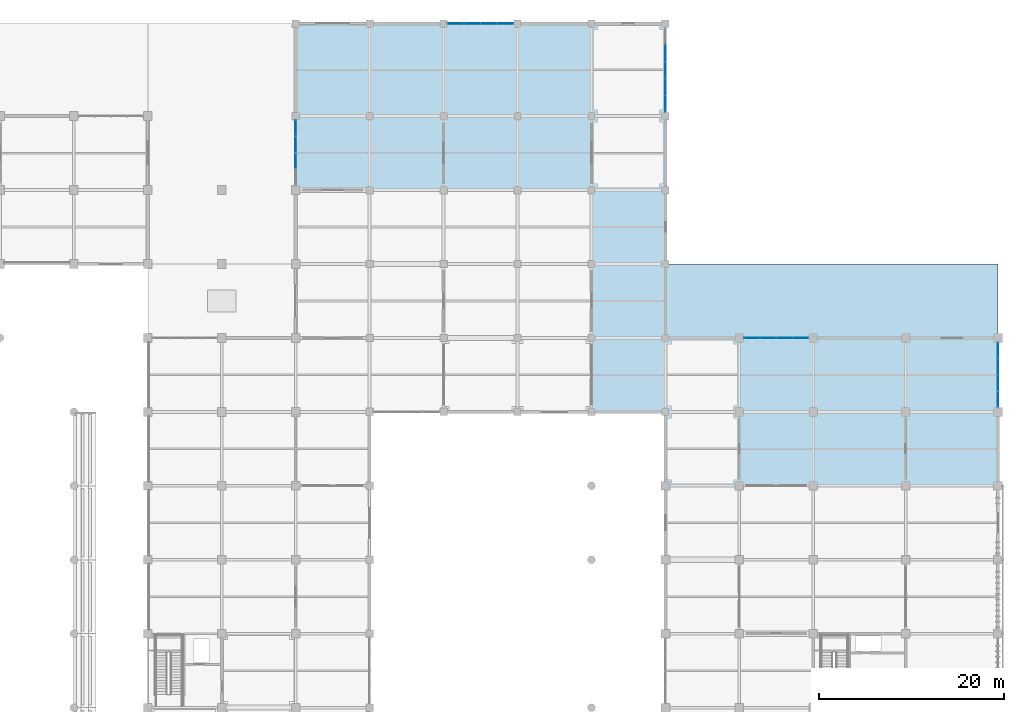
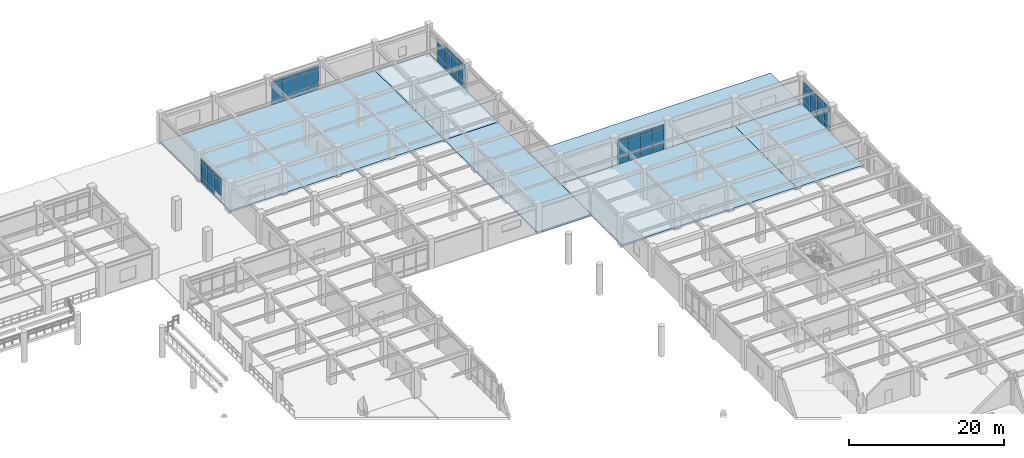
# One storey, part 66 of 109: 55 plates, 6 slabs, 5 elements without a shape of their own.
"""IFC4 building model written with IfcOpenShell, lengths in metres."""

from ifc_helpers import new_model, si_unit, direction, frame, origin, origin_2d, place, context, subcontext, project, spatial, polyline, rectangle, outline, extrude, material, layer, layer_set, type_object, element, aggregate, save


model = new_model("IFC4")

# Units and contexts
model_context = context("Model", 3, precision=1e-05, world=origin(), true_north=direction((0.0, 1.0)))
body_context = subcontext(model_context, "Body", "Model", "MODEL_VIEW")
ifc_project = project(units=[si_unit("LENGTHUNIT", "METRE"), si_unit("AREAUNIT", "SQUARE_METRE"), si_unit("VOLUMEUNIT", "CUBIC_METRE"), si_unit("PLANEANGLEUNIT", "RADIAN"), si_unit("MASSUNIT", "GRAM", prefix="KILO")], contexts=[model_context])

# Site, building, storey
site_placement = place(None, origin())
site = spatial("IfcSite", under=ifc_project, at=site_placement, CompositionType="ELEMENT")
building_placement = place(site_placement, origin())
building = spatial("IfcBuilding", under=site, at=building_placement, Name="Haebicheon Civic Stadium", CompositionType="ELEMENT")
storey_placement = place(building_placement, frame((0.0, 0.0, 9.60009765625)))
storey = spatial("IfcBuildingStorey", under=building, at=storey_placement, Name="L03", CompositionType="ELEMENT", Elevation=9.60009765625)

# Curtain wall, plates
ifc_material_1 = material(Name="Anodised aluminium and laminated glass", Category="aluminium")
ifc_layer_1 = layer(ifc_material_1, 0.179931640625, Name="Anodised aluminium and laminated glass")
ifc_layer_set_1 = layer_set([ifc_layer_1], Name="Anodised aluminium and laminated glass")
curtain_wall_type_1 = type_object("IfcCurtainWallType", Name="CW-7125x3680", PredefinedType="NOTDEFINED", material=ifc_layer_set_1)
curtain_wall_1_placement = place(storey_placement, origin())
curtain_wall_1 = element("IfcCurtainWall", 1, at=curtain_wall_1_placement, inside=storey, type_object=curtain_wall_type_1, material=ifc_layer_set_1, Name="L03 unitised curtain wall 090", PredefinedType="NOTDEFINED")
ifc_material_2 = material(Name="Double low-e laminated glass", Category="glass")
ifc_layer_2 = layer(ifc_material_2, 0.028076171875, Name="Double low-e laminated glass")
ifc_layer_set_2 = layer_set([ifc_layer_2], Name="Double low-e laminated glass")
plate_type_1 = type_object("IfcPlateType", Name="CWP-GLZ-28", PredefinedType="CURTAIN_PANEL", material=ifc_layer_set_2)
plate_1_placement = place(storey_placement, frame((160.0, 163.14599609375, 0.93505859375), z_axis=(0.0, 0.0, 1.0), x_axis=(0.0, 1.0, 0.0)))
plate_1 = element("IfcPlate", 2, at=plate_1_placement, type_object=plate_type_1, material=ifc_layer_set_2, Name="CW-L03-090 vision panel 2.2", PredefinedType="CURTAIN_PANEL", context=body_context, shape_type="SweptSolid", body=[
    extrude(rectangle(XDim=1.7109375, YDim=0.028076171875, at=origin_2d()), origin(), (0.0, 0.0, 1.0), 2.159912109375),
])
plate_2_placement = place(storey_placement, frame((160.0, 164.927978515625, 0.93505859375), z_axis=(0.0, 0.0, 1.0), x_axis=(0.0, 1.0, 0.0)))
plate_2 = element("IfcPlate", 3, at=plate_2_placement, type_object=plate_type_1, material=ifc_layer_set_2, Name="CW-L03-090 vision panel 3.2", PredefinedType="CURTAIN_PANEL", context=body_context, shape_type="SweptSolid", body=[
    extrude(rectangle(XDim=1.7119140625, YDim=0.028076171875, at=origin_2d()), origin(), (0.0, 0.0, 1.0), 2.159912109375),
])
plate_3_placement = place(storey_placement, frame((160.0, 166.69189453125, 0.93505859375), z_axis=(0.0, 0.0, 1.0), x_axis=(0.0, 1.0, 0.0)))
plate_3 = element("IfcPlate", 4, at=plate_3_placement, type_object=plate_type_1, material=ifc_layer_set_2, Name="CW-L03-090 vision panel 4.2", PredefinedType="CURTAIN_PANEL", context=body_context, shape_type="SweptSolid", body=[
    extrude(rectangle(XDim=1.676025390625, YDim=0.028076171875, at=origin_2d()), origin(), (0.0, 0.0, 1.0), 2.159912109375),
])

ifc_material_3 = material(Name="Anodised aluminium and laminated glass", Category="aluminium")
ifc_layer_3 = layer(ifc_material_3, 0.179931640625, Name="Anodised aluminium and laminated glass")
ifc_layer_set_3 = layer_set([ifc_layer_3], Name="Anodised aluminium and laminated glass")
curtain_wall_type_2 = type_object("IfcCurtainWallType", Name="CW-7200x3730", PredefinedType="NOTDEFINED", material=ifc_layer_set_3)
curtain_wall_2_placement = place(storey_placement, origin())
curtain_wall_2 = element("IfcCurtainWall", 5, at=curtain_wall_2_placement, inside=storey, type_object=curtain_wall_type_2, material=ifc_layer_set_3, Name="L03 unitised curtain wall 093", PredefinedType="NOTDEFINED")
plate_4_placement = place(storey_placement, frame((177.318115234375, 178.0, 0.934814453125), z_axis=(0.0, 0.0, 1.0), x_axis=(1.0, 0.0, 0.0)))
plate_4 = element("IfcPlate", 6, at=plate_4_placement, type_object=plate_type_1, material=ifc_layer_set_2, Name="CW-L03-093 vision panel 1.2", PredefinedType="CURTAIN_PANEL", context=body_context, shape_type="SweptSolid", body=[
    extrude(rectangle(XDim=1.695068359375, YDim=0.028076171875, at=origin_2d()), origin(), (0.0, 0.0, 1.0), 2.2099609375),
])
plate_5_placement = place(storey_placement, frame((179.10009765625, 178.0, 0.934814453125), z_axis=(0.0, 0.0, 1.0), x_axis=(1.0, 0.0, 0.0)))
plate_5 = element("IfcPlate", 7, at=plate_5_placement, type_object=plate_type_1, material=ifc_layer_set_2, Name="CW-L03-093 vision panel 2.2", PredefinedType="CURTAIN_PANEL", context=body_context, shape_type="SweptSolid", body=[
    extrude(rectangle(XDim=1.72998046875, YDim=0.028076171875, at=origin_2d()), origin(), (0.0, 0.0, 1.0), 2.2099609375),
])
plate_6_placement = place(storey_placement, frame((180.89990234375, 178.0, 0.934814453125), z_axis=(0.0, 0.0, 1.0), x_axis=(1.0, 0.0, 0.0)))
plate_6 = element("IfcPlate", 8, at=plate_6_placement, type_object=plate_type_1, material=ifc_layer_set_2, Name="CW-L03-093 vision panel 3.2", PredefinedType="CURTAIN_PANEL", context=body_context, shape_type="SweptSolid", body=[
    extrude(rectangle(XDim=1.72998046875, YDim=0.028076171875, at=origin_2d()), origin(), (0.0, 0.0, 1.0), 2.2099609375),
])
plate_7_placement = place(storey_placement, frame((182.681884765625, 178.0, 0.934814453125), z_axis=(0.0, 0.0, 1.0), x_axis=(1.0, 0.0, 0.0)))
plate_7 = element("IfcPlate", 9, at=plate_7_placement, type_object=plate_type_1, material=ifc_layer_set_2, Name="CW-L03-093 vision panel 4.2", PredefinedType="CURTAIN_PANEL", context=body_context, shape_type="SweptSolid", body=[
    extrude(rectangle(XDim=1.695068359375, YDim=0.028076171875, at=origin_2d()), origin(), (0.0, 0.0, 1.0), 2.2099609375),
])

ifc_material_4 = material(Name="Anodised aluminium and laminated glass", Category="aluminium")
ifc_layer_4 = layer(ifc_material_4, 0.179931640625, Name="Anodised aluminium and laminated glass")
ifc_layer_set_4 = layer_set([ifc_layer_4], Name="Anodised aluminium and laminated glass")
curtain_wall_type_3 = type_object("IfcCurtainWallType", Name="CW-9200x3790", PredefinedType="NOTDEFINED", material=ifc_layer_set_4)
curtain_wall_3_placement = place(storey_placement, origin())
curtain_wall_3 = element("IfcCurtainWall", 10, at=curtain_wall_3_placement, inside=storey, type_object=curtain_wall_type_3, material=ifc_layer_set_4, Name="L03 unitised curtain wall 096", PredefinedType="NOTDEFINED")
plate_8_placement = place(storey_placement, frame((200.0, 169.337890625, 0.934814453125), z_axis=(0.0, 0.0, 1.0), x_axis=(0.0, 1.0, 0.0)))
plate_8 = element("IfcPlate", 11, at=plate_8_placement, type_object=plate_type_1, material=ifc_layer_set_2, Name="CW-L03-096 vision panel 1.2", PredefinedType="CURTAIN_PANEL", context=body_context, shape_type="SweptSolid", body=[
    extrude(rectangle(XDim=1.735107421875, YDim=0.028076171875, at=origin_2d()), origin(), (0.0, 0.0, 1.0), 2.27001953125),
])
plate_9_placement = place(storey_placement, frame((200.0, 171.159912109375, 0.934814453125), z_axis=(0.0, 0.0, 1.0), x_axis=(0.0, 1.0, 0.0)))
plate_9 = element("IfcPlate", 12, at=plate_9_placement, type_object=plate_type_1, material=ifc_layer_set_2, Name="CW-L03-096 vision panel 2.2", PredefinedType="CURTAIN_PANEL", context=body_context, shape_type="SweptSolid", body=[
    extrude(rectangle(XDim=1.77001953125, YDim=0.028076171875, at=origin_2d()), origin(), (0.0, 0.0, 1.0), 2.27001953125),
])
plate_10_placement = place(storey_placement, frame((200.0, 173.0, 0.934814453125), z_axis=(0.0, 0.0, 1.0), x_axis=(0.0, 1.0, 0.0)))
plate_10 = element("IfcPlate", 13, at=plate_10_placement, type_object=plate_type_1, material=ifc_layer_set_2, Name="CW-L03-096 vision panel 3.2", PredefinedType="CURTAIN_PANEL", context=body_context, shape_type="SweptSolid", body=[
    extrude(rectangle(XDim=1.77001953125, YDim=0.028076171875, at=origin_2d()), origin(), (0.0, 0.0, 1.0), 2.27001953125),
])
plate_11_placement = place(storey_placement, frame((200.0, 174.840087890625, 0.934814453125), z_axis=(0.0, 0.0, 1.0), x_axis=(0.0, 1.0, 0.0)))
plate_11 = element("IfcPlate", 14, at=plate_11_placement, type_object=plate_type_1, material=ifc_layer_set_2, Name="CW-L03-096 vision panel 4.2", PredefinedType="CURTAIN_PANEL", context=body_context, shape_type="SweptSolid", body=[
    extrude(rectangle(XDim=1.77001953125, YDim=0.028076171875, at=origin_2d()), origin(), (0.0, 0.0, 1.0), 2.27001953125),
])

ifc_material_5 = material(Name="Anodised aluminium and laminated glass", Category="aluminium")
ifc_layer_5 = layer(ifc_material_5, 0.179931640625, Name="Anodised aluminium and laminated glass")
ifc_layer_set_5 = layer_set([ifc_layer_5], Name="Anodised aluminium and laminated glass")
curtain_wall_type_4 = type_object("IfcCurtainWallType", Name="CW-7050x3950", PredefinedType="NOTDEFINED", material=ifc_layer_set_5)
curtain_wall_4_placement = place(storey_placement, origin())
curtain_wall_4 = element("IfcCurtainWall", 15, at=curtain_wall_4_placement, inside=storey, type_object=curtain_wall_type_4, material=ifc_layer_set_5, Name="L03 unitised curtain wall 100", PredefinedType="NOTDEFINED")
plate_12_placement = place(storey_placement, frame((209.3740234375, 144.0, 0.93505859375), z_axis=(0.0, 0.0, 1.0), x_axis=(1.0, 0.0, 0.0)))
plate_12 = element("IfcPlate", 16, at=plate_12_placement, type_object=plate_type_1, material=ifc_layer_set_2, Name="CW-L03-100 vision panel 1.2", PredefinedType="CURTAIN_PANEL", context=body_context, shape_type="SweptSolid", body=[
    extrude(rectangle(XDim=1.656982421875, YDim=0.028076171875, at=origin_2d()), origin(), (0.0, 0.0, 1.0), 2.429931640625),
])
plate_13_placement = place(storey_placement, frame((211.117919921875, 144.0, 0.93505859375), z_axis=(0.0, 0.0, 1.0), x_axis=(1.0, 0.0, 0.0)))
plate_13 = element("IfcPlate", 17, at=plate_13_placement, type_object=plate_type_1, material=ifc_layer_set_2, Name="CW-L03-100 vision panel 2.2", PredefinedType="CURTAIN_PANEL", context=body_context, shape_type="SweptSolid", body=[
    extrude(rectangle(XDim=1.693115234375, YDim=0.028076171875, at=origin_2d()), origin(), (0.0, 0.0, 1.0), 2.429931640625),
])
plate_14_placement = place(storey_placement, frame((212.882080078125, 144.0, 0.93505859375), z_axis=(0.0, 0.0, 1.0), x_axis=(1.0, 0.0, 0.0)))
plate_14 = element("IfcPlate", 18, at=plate_14_placement, type_object=plate_type_1, material=ifc_layer_set_2, Name="CW-L03-100 vision panel 3.2", PredefinedType="CURTAIN_PANEL", context=body_context, shape_type="SweptSolid", body=[
    extrude(rectangle(XDim=1.693115234375, YDim=0.028076171875, at=origin_2d()), origin(), (0.0, 0.0, 1.0), 2.429931640625),
])
plate_15_placement = place(storey_placement, frame((214.6259765625, 144.0, 0.93505859375), z_axis=(0.0, 0.0, 1.0), x_axis=(1.0, 0.0, 0.0)))
plate_15 = element("IfcPlate", 19, at=plate_15_placement, type_object=plate_type_1, material=ifc_layer_set_2, Name="CW-L03-100 vision panel 4.2", PredefinedType="CURTAIN_PANEL", context=body_context, shape_type="SweptSolid", body=[
    extrude(rectangle(XDim=1.656982421875, YDim=0.028076171875, at=origin_2d()), origin(), (0.0, 0.0, 1.0), 2.429931640625),
])

ifc_material_6 = material(Name="Anodised aluminium and laminated glass", Category="aluminium")
ifc_layer_6 = layer(ifc_material_6, 0.179931640625, Name="Anodised aluminium and laminated glass")
ifc_layer_set_6 = layer_set([ifc_layer_6], Name="Anodised aluminium and laminated glass")
curtain_wall_type_5 = type_object("IfcCurtainWallType", Name="CW-7050x3830", PredefinedType="NOTDEFINED", material=ifc_layer_set_6)
curtain_wall_5_placement = place(storey_placement, origin())
curtain_wall_5 = element("IfcCurtainWall", 20, at=curtain_wall_5_placement, inside=storey, type_object=curtain_wall_type_5, material=ifc_layer_set_6, Name="L03 unitised curtain wall 104", PredefinedType="NOTDEFINED")
plate_16_placement = place(storey_placement, frame((236.0, 137.3740234375, 0.934814453125), z_axis=(0.0, 0.0, 1.0), x_axis=(0.0, 1.0, 0.0)))
plate_16 = element("IfcPlate", 21, at=plate_16_placement, type_object=plate_type_1, material=ifc_layer_set_2, Name="CW-L03-104 vision panel 1.2", PredefinedType="CURTAIN_PANEL", context=body_context, shape_type="SweptSolid", body=[
    extrude(rectangle(XDim=1.656982421875, YDim=0.028076171875, at=origin_2d()), origin(), (0.0, 0.0, 1.0), 2.31005859375),
])
plate_17_placement = place(storey_placement, frame((236.0, 139.117919921875, 0.934814453125), z_axis=(0.0, 0.0, 1.0), x_axis=(0.0, 1.0, 0.0)))
plate_17 = element("IfcPlate", 22, at=plate_17_placement, type_object=plate_type_1, material=ifc_layer_set_2, Name="CW-L03-104 vision panel 2.2", PredefinedType="CURTAIN_PANEL", context=body_context, shape_type="SweptSolid", body=[
    extrude(rectangle(XDim=1.693115234375, YDim=0.028076171875, at=origin_2d()), origin(), (0.0, 0.0, 1.0), 2.31005859375),
])
plate_18_placement = place(storey_placement, frame((236.0, 140.882080078125, 0.934814453125), z_axis=(0.0, 0.0, 1.0), x_axis=(0.0, 1.0, 0.0)))
plate_18 = element("IfcPlate", 23, at=plate_18_placement, type_object=plate_type_1, material=ifc_layer_set_2, Name="CW-L03-104 vision panel 3.2", PredefinedType="CURTAIN_PANEL", context=body_context, shape_type="SweptSolid", body=[
    extrude(rectangle(XDim=1.693115234375, YDim=0.028076171875, at=origin_2d()), origin(), (0.0, 0.0, 1.0), 2.31005859375),
])
plate_19_placement = place(storey_placement, frame((236.0, 142.6259765625, 0.934814453125), z_axis=(0.0, 0.0, 1.0), x_axis=(0.0, 1.0, 0.0)))
plate_19 = element("IfcPlate", 24, at=plate_19_placement, type_object=plate_type_1, material=ifc_layer_set_2, Name="CW-L03-104 vision panel 4.2", PredefinedType="CURTAIN_PANEL", context=body_context, shape_type="SweptSolid", body=[
    extrude(rectangle(XDim=1.656982421875, YDim=0.028076171875, at=origin_2d()), origin(), (0.0, 0.0, 1.0), 2.31005859375),
])

# Plate
ifc_material_7 = material(Name="Anodised aluminium 6063-T6", Category="aluminium")
ifc_layer_7 = layer(ifc_material_7, 0.0439453125, Name="Anodised aluminium 6063-T6")
ifc_layer_set_7 = layer_set([ifc_layer_7], Name="Anodised aluminium 6063-T6")
plate_type_2 = type_object("IfcPlateType", Name="CWP-SPD-44", PredefinedType="CURTAIN_PANEL", material=ifc_layer_set_7)
plate_20_placement = place(storey_placement, frame((160.0, 163.14599609375, 3.164794921875), z_axis=(0.0, 0.0, 1.0), x_axis=(0.0, 1.0, 0.0)))
plate_20 = element("IfcPlate", 25, at=plate_20_placement, type_object=plate_type_2, material=ifc_layer_set_7, Name="CW-L03-090 spandrel panel 2.3", PredefinedType="CURTAIN_PANEL", context=body_context, shape_type="SweptSolid", body=[
    extrude(rectangle(XDim=1.7109375, YDim=0.0439453125, at=origin_2d()), origin(), (0.0, 0.0, 1.0), 0.47998046875),
])

plate_21_placement = place(storey_placement, frame((160.0, 164.927978515625, 0.034912109375), z_axis=(0.0, 0.0, 1.0), x_axis=(0.0, 1.0, 0.0)))
plate_21 = element("IfcPlate", 26, at=plate_21_placement, type_object=plate_type_2, material=ifc_layer_set_7, Name="CW-L03-090 spandrel panel 3.1", PredefinedType="CURTAIN_PANEL", context=body_context, shape_type="SweptSolid", body=[
    extrude(rectangle(XDim=1.7119140625, YDim=0.0439453125, at=origin_2d()), origin(), (0.0, 0.0, 1.0), 0.830078125),
])

plate_22_placement = place(storey_placement, frame((160.0, 164.927978515625, 3.164794921875), z_axis=(0.0, 0.0, 1.0), x_axis=(0.0, 1.0, 0.0)))
plate_22 = element("IfcPlate", 27, at=plate_22_placement, type_object=plate_type_2, material=ifc_layer_set_7, Name="CW-L03-090 spandrel panel 3.3", PredefinedType="CURTAIN_PANEL", context=body_context, shape_type="SweptSolid", body=[
    extrude(rectangle(XDim=1.7119140625, YDim=0.0439453125, at=origin_2d()), origin(), (0.0, 0.0, 1.0), 0.47998046875),
])

plate_23_placement = place(storey_placement, frame((160.0, 166.69189453125, 0.034912109375), z_axis=(0.0, 0.0, 1.0), x_axis=(0.0, 1.0, 0.0)))
plate_23 = element("IfcPlate", 28, at=plate_23_placement, type_object=plate_type_2, material=ifc_layer_set_7, Name="CW-L03-090 spandrel panel 4.1", PredefinedType="CURTAIN_PANEL", context=body_context, shape_type="SweptSolid", body=[
    extrude(rectangle(XDim=1.676025390625, YDim=0.0439453125, at=origin_2d()), origin(), (0.0, 0.0, 1.0), 0.830078125),
])

plate_24_placement = place(storey_placement, frame((160.0, 166.69189453125, 3.164794921875), z_axis=(0.0, 0.0, 1.0), x_axis=(0.0, 1.0, 0.0)))
plate_24 = element("IfcPlate", 29, at=plate_24_placement, type_object=plate_type_2, material=ifc_layer_set_7, Name="CW-L03-090 spandrel panel 4.3", PredefinedType="CURTAIN_PANEL", context=body_context, shape_type="SweptSolid", body=[
    extrude(rectangle(XDim=1.676025390625, YDim=0.0439453125, at=origin_2d()), origin(), (0.0, 0.0, 1.0), 0.47998046875),
])

aggregate(curtain_wall_1, [plate_1, plate_20, plate_21, plate_2, plate_22, plate_23, plate_3, plate_24])

plate_25_placement = place(storey_placement, frame((177.318115234375, 178.0, 0.034912109375), z_axis=(0.0, 0.0, 1.0), x_axis=(1.0, 0.0, 0.0)))
plate_25 = element("IfcPlate", 30, at=plate_25_placement, type_object=plate_type_2, material=ifc_layer_set_7, Name="CW-L03-093 spandrel panel 1.1", PredefinedType="CURTAIN_PANEL", context=body_context, shape_type="SweptSolid", body=[
    extrude(rectangle(XDim=1.695068359375, YDim=0.0439453125, at=origin_2d()), origin(), (0.0, 0.0, 1.0), 0.830078125),
])

plate_26_placement = place(storey_placement, frame((177.318115234375, 178.0, 3.21484375), z_axis=(0.0, 0.0, 1.0), x_axis=(1.0, 0.0, 0.0)))
plate_26 = element("IfcPlate", 31, at=plate_26_placement, type_object=plate_type_2, material=ifc_layer_set_7, Name="CW-L03-093 spandrel panel 1.3", PredefinedType="CURTAIN_PANEL", context=body_context, shape_type="SweptSolid", body=[
    extrude(rectangle(XDim=1.695068359375, YDim=0.0439453125, at=origin_2d()), origin(), (0.0, 0.0, 1.0), 0.47998046875),
])

plate_27_placement = place(storey_placement, frame((179.10009765625, 178.0, 0.034912109375), z_axis=(0.0, 0.0, 1.0), x_axis=(1.0, 0.0, 0.0)))
plate_27 = element("IfcPlate", 32, at=plate_27_placement, type_object=plate_type_2, material=ifc_layer_set_7, Name="CW-L03-093 spandrel panel 2.1", PredefinedType="CURTAIN_PANEL", context=body_context, shape_type="SweptSolid", body=[
    extrude(rectangle(XDim=1.72998046875, YDim=0.0439453125, at=origin_2d()), origin(), (0.0, 0.0, 1.0), 0.830078125),
])

plate_28_placement = place(storey_placement, frame((179.10009765625, 178.0, 3.21484375), z_axis=(0.0, 0.0, 1.0), x_axis=(1.0, 0.0, 0.0)))
plate_28 = element("IfcPlate", 33, at=plate_28_placement, type_object=plate_type_2, material=ifc_layer_set_7, Name="CW-L03-093 spandrel panel 2.3", PredefinedType="CURTAIN_PANEL", context=body_context, shape_type="SweptSolid", body=[
    extrude(rectangle(XDim=1.72998046875, YDim=0.0439453125, at=origin_2d()), origin(), (0.0, 0.0, 1.0), 0.47998046875),
])

plate_29_placement = place(storey_placement, frame((180.89990234375, 178.0, 0.034912109375), z_axis=(0.0, 0.0, 1.0), x_axis=(1.0, 0.0, 0.0)))
plate_29 = element("IfcPlate", 34, at=plate_29_placement, type_object=plate_type_2, material=ifc_layer_set_7, Name="CW-L03-093 spandrel panel 3.1", PredefinedType="CURTAIN_PANEL", context=body_context, shape_type="SweptSolid", body=[
    extrude(rectangle(XDim=1.72998046875, YDim=0.0439453125, at=origin_2d()), origin(), (0.0, 0.0, 1.0), 0.830078125),
])

plate_30_placement = place(storey_placement, frame((180.89990234375, 178.0, 3.21484375), z_axis=(0.0, 0.0, 1.0), x_axis=(1.0, 0.0, 0.0)))
plate_30 = element("IfcPlate", 35, at=plate_30_placement, type_object=plate_type_2, material=ifc_layer_set_7, Name="CW-L03-093 spandrel panel 3.3", PredefinedType="CURTAIN_PANEL", context=body_context, shape_type="SweptSolid", body=[
    extrude(rectangle(XDim=1.72998046875, YDim=0.0439453125, at=origin_2d()), origin(), (0.0, 0.0, 1.0), 0.47998046875),
])

plate_31_placement = place(storey_placement, frame((182.681884765625, 178.0, 0.034912109375), z_axis=(0.0, 0.0, 1.0), x_axis=(1.0, 0.0, 0.0)))
plate_31 = element("IfcPlate", 36, at=plate_31_placement, type_object=plate_type_2, material=ifc_layer_set_7, Name="CW-L03-093 spandrel panel 4.1", PredefinedType="CURTAIN_PANEL", context=body_context, shape_type="SweptSolid", body=[
    extrude(rectangle(XDim=1.695068359375, YDim=0.0439453125, at=origin_2d()), origin(), (0.0, 0.0, 1.0), 0.830078125),
])

plate_32_placement = place(storey_placement, frame((182.681884765625, 178.0, 3.21484375), z_axis=(0.0, 0.0, 1.0), x_axis=(1.0, 0.0, 0.0)))
plate_32 = element("IfcPlate", 37, at=plate_32_placement, type_object=plate_type_2, material=ifc_layer_set_7, Name="CW-L03-093 spandrel panel 4.3", PredefinedType="CURTAIN_PANEL", context=body_context, shape_type="SweptSolid", body=[
    extrude(rectangle(XDim=1.695068359375, YDim=0.0439453125, at=origin_2d()), origin(), (0.0, 0.0, 1.0), 0.47998046875),
])

aggregate(curtain_wall_2, [plate_25, plate_4, plate_26, plate_27, plate_5, plate_28, plate_29, plate_6, plate_30, plate_31, plate_7, plate_32])

plate_33_placement = place(storey_placement, frame((200.0, 169.337890625, 0.034912109375), z_axis=(0.0, 0.0, 1.0), x_axis=(0.0, 1.0, 0.0)))
plate_33 = element("IfcPlate", 38, at=plate_33_placement, type_object=plate_type_2, material=ifc_layer_set_7, Name="CW-L03-096 spandrel panel 1.1", PredefinedType="CURTAIN_PANEL", context=body_context, shape_type="SweptSolid", body=[
    extrude(rectangle(XDim=1.735107421875, YDim=0.0439453125, at=origin_2d()), origin(), (0.0, 0.0, 1.0), 0.830078125),
])

plate_34_placement = place(storey_placement, frame((200.0, 169.337890625, 3.27490234375), z_axis=(0.0, 0.0, 1.0), x_axis=(0.0, 1.0, 0.0)))
plate_34 = element("IfcPlate", 39, at=plate_34_placement, type_object=plate_type_2, material=ifc_layer_set_7, Name="CW-L03-096 spandrel panel 1.3", PredefinedType="CURTAIN_PANEL", context=body_context, shape_type="SweptSolid", body=[
    extrude(rectangle(XDim=1.735107421875, YDim=0.0439453125, at=origin_2d()), origin(), (0.0, 0.0, 1.0), 0.47998046875),
])

plate_35_placement = place(storey_placement, frame((200.0, 171.159912109375, 0.034912109375), z_axis=(0.0, 0.0, 1.0), x_axis=(0.0, 1.0, 0.0)))
plate_35 = element("IfcPlate", 40, at=plate_35_placement, type_object=plate_type_2, material=ifc_layer_set_7, Name="CW-L03-096 spandrel panel 2.1", PredefinedType="CURTAIN_PANEL", context=body_context, shape_type="SweptSolid", body=[
    extrude(rectangle(XDim=1.77001953125, YDim=0.0439453125, at=origin_2d()), origin(), (0.0, 0.0, 1.0), 0.830078125),
])

plate_36_placement = place(storey_placement, frame((200.0, 171.159912109375, 3.27490234375), z_axis=(0.0, 0.0, 1.0), x_axis=(0.0, 1.0, 0.0)))
plate_36 = element("IfcPlate", 41, at=plate_36_placement, type_object=plate_type_2, material=ifc_layer_set_7, Name="CW-L03-096 spandrel panel 2.3", PredefinedType="CURTAIN_PANEL", context=body_context, shape_type="SweptSolid", body=[
    extrude(rectangle(XDim=1.77001953125, YDim=0.0439453125, at=origin_2d()), origin(), (0.0, 0.0, 1.0), 0.47998046875),
])

plate_37_placement = place(storey_placement, frame((200.0, 173.0, 0.034912109375), z_axis=(0.0, 0.0, 1.0), x_axis=(0.0, 1.0, 0.0)))
plate_37 = element("IfcPlate", 42, at=plate_37_placement, type_object=plate_type_2, material=ifc_layer_set_7, Name="CW-L03-096 spandrel panel 3.1", PredefinedType="CURTAIN_PANEL", context=body_context, shape_type="SweptSolid", body=[
    extrude(rectangle(XDim=1.77001953125, YDim=0.0439453125, at=origin_2d()), origin(), (0.0, 0.0, 1.0), 0.830078125),
])

plate_38_placement = place(storey_placement, frame((200.0, 173.0, 3.27490234375), z_axis=(0.0, 0.0, 1.0), x_axis=(0.0, 1.0, 0.0)))
plate_38 = element("IfcPlate", 43, at=plate_38_placement, type_object=plate_type_2, material=ifc_layer_set_7, Name="CW-L03-096 spandrel panel 3.3", PredefinedType="CURTAIN_PANEL", context=body_context, shape_type="SweptSolid", body=[
    extrude(rectangle(XDim=1.77001953125, YDim=0.0439453125, at=origin_2d()), origin(), (0.0, 0.0, 1.0), 0.47998046875),
])

plate_39_placement = place(storey_placement, frame((200.0, 174.840087890625, 0.034912109375), z_axis=(0.0, 0.0, 1.0), x_axis=(0.0, 1.0, 0.0)))
plate_39 = element("IfcPlate", 44, at=plate_39_placement, type_object=plate_type_2, material=ifc_layer_set_7, Name="CW-L03-096 spandrel panel 4.1", PredefinedType="CURTAIN_PANEL", context=body_context, shape_type="SweptSolid", body=[
    extrude(rectangle(XDim=1.77001953125, YDim=0.0439453125, at=origin_2d()), origin(), (0.0, 0.0, 1.0), 0.830078125),
])

aggregate(curtain_wall_3, [plate_33, plate_8, plate_34, plate_35, plate_9, plate_36, plate_37, plate_10, plate_38, plate_39, plate_11])

plate_40_placement = place(storey_placement, frame((209.3740234375, 144.0, 0.034912109375), z_axis=(0.0, 0.0, 1.0), x_axis=(1.0, 0.0, 0.0)))
plate_40 = element("IfcPlate", 45, at=plate_40_placement, type_object=plate_type_2, material=ifc_layer_set_7, Name="CW-L03-100 spandrel panel 1.1", PredefinedType="CURTAIN_PANEL", context=body_context, shape_type="SweptSolid", body=[
    extrude(rectangle(XDim=1.656982421875, YDim=0.0439453125, at=origin_2d()), origin(), (0.0, 0.0, 1.0), 0.830078125),
])

plate_41_placement = place(storey_placement, frame((209.3740234375, 144.0, 3.434814453125), z_axis=(0.0, 0.0, 1.0), x_axis=(1.0, 0.0, 0.0)))
plate_41 = element("IfcPlate", 46, at=plate_41_placement, type_object=plate_type_2, material=ifc_layer_set_7, Name="CW-L03-100 spandrel panel 1.3", PredefinedType="CURTAIN_PANEL", context=body_context, shape_type="SweptSolid", body=[
    extrude(rectangle(XDim=1.656982421875, YDim=0.0439453125, at=origin_2d()), origin(), (0.0, 0.0, 1.0), 0.47998046875),
])

plate_42_placement = place(storey_placement, frame((211.117919921875, 144.0, 0.034912109375), z_axis=(0.0, 0.0, 1.0), x_axis=(1.0, 0.0, 0.0)))
plate_42 = element("IfcPlate", 47, at=plate_42_placement, type_object=plate_type_2, material=ifc_layer_set_7, Name="CW-L03-100 spandrel panel 2.1", PredefinedType="CURTAIN_PANEL", context=body_context, shape_type="SweptSolid", body=[
    extrude(rectangle(XDim=1.693115234375, YDim=0.0439453125, at=origin_2d()), origin(), (0.0, 0.0, 1.0), 0.830078125),
])

plate_43_placement = place(storey_placement, frame((211.117919921875, 144.0, 3.434814453125), z_axis=(0.0, 0.0, 1.0), x_axis=(1.0, 0.0, 0.0)))
plate_43 = element("IfcPlate", 48, at=plate_43_placement, type_object=plate_type_2, material=ifc_layer_set_7, Name="CW-L03-100 spandrel panel 2.3", PredefinedType="CURTAIN_PANEL", context=body_context, shape_type="SweptSolid", body=[
    extrude(rectangle(XDim=1.693115234375, YDim=0.0439453125, at=origin_2d()), origin(), (0.0, 0.0, 1.0), 0.47998046875),
])

plate_44_placement = place(storey_placement, frame((212.882080078125, 144.0, 0.034912109375), z_axis=(0.0, 0.0, 1.0), x_axis=(1.0, 0.0, 0.0)))
plate_44 = element("IfcPlate", 49, at=plate_44_placement, type_object=plate_type_2, material=ifc_layer_set_7, Name="CW-L03-100 spandrel panel 3.1", PredefinedType="CURTAIN_PANEL", context=body_context, shape_type="SweptSolid", body=[
    extrude(rectangle(XDim=1.693115234375, YDim=0.0439453125, at=origin_2d()), origin(), (0.0, 0.0, 1.0), 0.830078125),
])

plate_45_placement = place(storey_placement, frame((212.882080078125, 144.0, 3.434814453125), z_axis=(0.0, 0.0, 1.0), x_axis=(1.0, 0.0, 0.0)))
plate_45 = element("IfcPlate", 50, at=plate_45_placement, type_object=plate_type_2, material=ifc_layer_set_7, Name="CW-L03-100 spandrel panel 3.3", PredefinedType="CURTAIN_PANEL", context=body_context, shape_type="SweptSolid", body=[
    extrude(rectangle(XDim=1.693115234375, YDim=0.0439453125, at=origin_2d()), origin(), (0.0, 0.0, 1.0), 0.47998046875),
])

plate_46_placement = place(storey_placement, frame((214.6259765625, 144.0, 0.034912109375), z_axis=(0.0, 0.0, 1.0), x_axis=(1.0, 0.0, 0.0)))
plate_46 = element("IfcPlate", 51, at=plate_46_placement, type_object=plate_type_2, material=ifc_layer_set_7, Name="CW-L03-100 spandrel panel 4.1", PredefinedType="CURTAIN_PANEL", context=body_context, shape_type="SweptSolid", body=[
    extrude(rectangle(XDim=1.656982421875, YDim=0.0439453125, at=origin_2d()), origin(), (0.0, 0.0, 1.0), 0.830078125),
])

plate_47_placement = place(storey_placement, frame((214.6259765625, 144.0, 3.434814453125), z_axis=(0.0, 0.0, 1.0), x_axis=(1.0, 0.0, 0.0)))
plate_47 = element("IfcPlate", 52, at=plate_47_placement, type_object=plate_type_2, material=ifc_layer_set_7, Name="CW-L03-100 spandrel panel 4.3", PredefinedType="CURTAIN_PANEL", context=body_context, shape_type="SweptSolid", body=[
    extrude(rectangle(XDim=1.656982421875, YDim=0.0439453125, at=origin_2d()), origin(), (0.0, 0.0, 1.0), 0.47998046875),
])

aggregate(curtain_wall_4, [plate_40, plate_12, plate_41, plate_42, plate_13, plate_43, plate_44, plate_14, plate_45, plate_46, plate_15, plate_47])

plate_48_placement = place(storey_placement, frame((236.0, 137.3740234375, 0.034912109375), z_axis=(0.0, 0.0, 1.0), x_axis=(0.0, 1.0, 0.0)))
plate_48 = element("IfcPlate", 53, at=plate_48_placement, type_object=plate_type_2, material=ifc_layer_set_7, Name="CW-L03-104 spandrel panel 1.1", PredefinedType="CURTAIN_PANEL", context=body_context, shape_type="SweptSolid", body=[
    extrude(rectangle(XDim=1.656982421875, YDim=0.0439453125, at=origin_2d()), origin(), (0.0, 0.0, 1.0), 0.830078125),
])

plate_49_placement = place(storey_placement, frame((236.0, 137.3740234375, 3.31494140625), z_axis=(0.0, 0.0, 1.0), x_axis=(0.0, 1.0, 0.0)))
plate_49 = element("IfcPlate", 54, at=plate_49_placement, type_object=plate_type_2, material=ifc_layer_set_7, Name="CW-L03-104 spandrel panel 1.3", PredefinedType="CURTAIN_PANEL", context=body_context, shape_type="SweptSolid", body=[
    extrude(rectangle(XDim=1.656982421875, YDim=0.0439453125, at=origin_2d()), origin(), (0.0, 0.0, 1.0), 0.47998046875),
])

plate_50_placement = place(storey_placement, frame((236.0, 139.117919921875, 0.034912109375), z_axis=(0.0, 0.0, 1.0), x_axis=(0.0, 1.0, 0.0)))
plate_50 = element("IfcPlate", 55, at=plate_50_placement, type_object=plate_type_2, material=ifc_layer_set_7, Name="CW-L03-104 spandrel panel 2.1", PredefinedType="CURTAIN_PANEL", context=body_context, shape_type="SweptSolid", body=[
    extrude(rectangle(XDim=1.693115234375, YDim=0.0439453125, at=origin_2d()), origin(), (0.0, 0.0, 1.0), 0.830078125),
])

plate_51_placement = place(storey_placement, frame((236.0, 139.117919921875, 3.31494140625), z_axis=(0.0, 0.0, 1.0), x_axis=(0.0, 1.0, 0.0)))
plate_51 = element("IfcPlate", 56, at=plate_51_placement, type_object=plate_type_2, material=ifc_layer_set_7, Name="CW-L03-104 spandrel panel 2.3", PredefinedType="CURTAIN_PANEL", context=body_context, shape_type="SweptSolid", body=[
    extrude(rectangle(XDim=1.693115234375, YDim=0.0439453125, at=origin_2d()), origin(), (0.0, 0.0, 1.0), 0.47998046875),
])

plate_52_placement = place(storey_placement, frame((236.0, 140.882080078125, 0.034912109375), z_axis=(0.0, 0.0, 1.0), x_axis=(0.0, 1.0, 0.0)))
plate_52 = element("IfcPlate", 57, at=plate_52_placement, type_object=plate_type_2, material=ifc_layer_set_7, Name="CW-L03-104 spandrel panel 3.1", PredefinedType="CURTAIN_PANEL", context=body_context, shape_type="SweptSolid", body=[
    extrude(rectangle(XDim=1.693115234375, YDim=0.0439453125, at=origin_2d()), origin(), (0.0, 0.0, 1.0), 0.830078125),
])

plate_53_placement = place(storey_placement, frame((236.0, 140.882080078125, 3.31494140625), z_axis=(0.0, 0.0, 1.0), x_axis=(0.0, 1.0, 0.0)))
plate_53 = element("IfcPlate", 58, at=plate_53_placement, type_object=plate_type_2, material=ifc_layer_set_7, Name="CW-L03-104 spandrel panel 3.3", PredefinedType="CURTAIN_PANEL", context=body_context, shape_type="SweptSolid", body=[
    extrude(rectangle(XDim=1.693115234375, YDim=0.0439453125, at=origin_2d()), origin(), (0.0, 0.0, 1.0), 0.47998046875),
])

plate_54_placement = place(storey_placement, frame((236.0, 142.6259765625, 0.034912109375), z_axis=(0.0, 0.0, 1.0), x_axis=(0.0, 1.0, 0.0)))
plate_54 = element("IfcPlate", 59, at=plate_54_placement, type_object=plate_type_2, material=ifc_layer_set_7, Name="CW-L03-104 spandrel panel 4.1", PredefinedType="CURTAIN_PANEL", context=body_context, shape_type="SweptSolid", body=[
    extrude(rectangle(XDim=1.656982421875, YDim=0.0439453125, at=origin_2d()), origin(), (0.0, 0.0, 1.0), 0.830078125),
])

plate_55_placement = place(storey_placement, frame((236.0, 142.6259765625, 3.31494140625), z_axis=(0.0, 0.0, 1.0), x_axis=(0.0, 1.0, 0.0)))
plate_55 = element("IfcPlate", 60, at=plate_55_placement, type_object=plate_type_2, material=ifc_layer_set_7, Name="CW-L03-104 spandrel panel 4.3", PredefinedType="CURTAIN_PANEL", context=body_context, shape_type="SweptSolid", body=[
    extrude(rectangle(XDim=1.656982421875, YDim=0.0439453125, at=origin_2d()), origin(), (0.0, 0.0, 1.0), 0.47998046875),
])

aggregate(curtain_wall_5, [plate_48, plate_16, plate_49, plate_50, plate_17, plate_51, plate_52, plate_18, plate_53, plate_54, plate_19, plate_55])

# Slabs
ifc_material_8 = material(Name="Concrete C40/50", Category="concrete")
ifc_layer_8 = layer(ifc_material_8, 0.280029296875, Name="Concrete C40/50")
ifc_layer_set_8 = layer_set([ifc_layer_8], Name="Concrete C40/50")
slab_type_1 = type_object("IfcSlabType", Name="SLB-FLR-280", PredefinedType="FLOOR", material=ifc_layer_set_8)
slab_1_placement = place(storey_placement, frame((0.0, 0.0, -0.280029296875)))
element("IfcSlab", 61, at=slab_1_placement, inside=storey, type_object=slab_type_1, material=ifc_layer_set_8, Name="L03 V3 structural slab 4.1", PredefinedType="FLOOR", context=body_context, shape_type="SweptSolid", body=[
    extrude(outline(polyline([(200.0, 136.0), (200.0, 144.0), (208.0, 144.0), (216.0, 144.0), (226.0, 144.0), (226.0, 136.0), (226.0, 128.0), (216.0, 128.0), (208.0, 128.0), (200.0, 128.0), (200.0, 136.0)])), origin(), (0.0, 0.0, 1.0), 0.280029296875),
])
slab_2_placement = place(storey_placement, frame((0.0, 0.0, -0.280029296875)))
element("IfcSlab", 62, at=slab_2_placement, inside=storey, type_object=slab_type_1, material=ifc_layer_set_8, Name="L03 V3 structural slab 8.1", PredefinedType="FLOOR", context=body_context, shape_type="SweptSolid", body=[
    extrude(outline(polyline([(236.0, 128.0), (226.0, 128.0), (226.0, 136.0), (226.0, 144.0), (236.0, 144.0), (236.0, 136.0), (236.0, 128.0)])), origin(), (0.0, 0.0, 1.0), 0.280029296875),
])
slab_3_placement = place(storey_placement, frame((0.0, 0.0, -0.280029296875)))
element("IfcSlab", 63, at=slab_3_placement, inside=storey, type_object=slab_type_1, material=ifc_layer_set_8, Name="L03 V4 structural slab 6.1", PredefinedType="FLOOR", context=body_context, shape_type="SweptSolid", body=[
    extrude(outline(polyline([(192.0, 160.0), (184.0, 160.0), (176.0, 160.0), (168.0, 160.0), (160.0, 160.0), (160.0, 168.0), (160.0, 178.0), (168.0, 178.0), (176.0, 178.0), (184.0, 178.0), (192.0, 178.0), (192.0, 168.0), (192.0, 160.0)])), origin(), (0.0, 0.0, 1.0), 0.280029296875),
])
slab_4_placement = place(storey_placement, frame((0.0, 0.0, -0.280029296875)))
element("IfcSlab", 64, at=slab_4_placement, inside=storey, type_object=slab_type_1, material=ifc_layer_set_8, Name="L03 V4 structural slab 9.1", PredefinedType="FLOOR", context=body_context, shape_type="SweptSolid", body=[
    extrude(outline(polyline([(200.0, 136.0), (192.0, 136.0), (192.0, 144.0), (192.0, 152.0), (192.0, 160.0), (200.0, 160.0), (200.0, 152.0), (200.0, 144.0), (200.0, 136.0)])), origin(), (0.0, 0.0, 1.0), 0.280029296875),
])
slab_5_placement = place(storey_placement, frame((0.0, 0.0, -0.280029296875)))
element("IfcSlab", 65, at=slab_5_placement, inside=storey, type_object=slab_type_1, material=ifc_layer_set_8, Name="L03 V4 structural slab 10.1", PredefinedType="FLOOR", context=body_context, shape_type="SweptSolid", body=[
    extrude(outline(polyline([(200.0, 160.0), (192.0, 160.0), (192.0, 168.0), (192.0, 178.0), (200.0, 178.0), (200.0, 168.0), (200.0, 160.0)])), origin(), (0.0, 0.0, 1.0), 0.280029296875),
])
ifc_material_9 = material(Name="Concrete C40/50", Category="concrete")
ifc_layer_9 = layer(ifc_material_9, 0.18994140625, Name="Concrete C40/50")
ifc_layer_set_9 = layer_set([ifc_layer_9], Name="Concrete C40/50")
slab_type_2 = type_object("IfcSlabType", Name="SLB-ROOF-190", PredefinedType="ROOF", material=ifc_layer_set_9)
slab_6_placement = place(storey_placement, frame((0.0, 0.0, -0.190185546875)))
element("IfcSlab", 66, at=slab_6_placement, inside=storey, type_object=slab_type_2, material=ifc_layer_set_9, Name="L03 V3 roof deck slab 2", PredefinedType="ROOF", context=body_context, shape_type="SweptSolid", body=[
    extrude(outline(polyline([(200.0, 152.0), (236.0, 152.0), (236.0, 144.0), (200.0, 144.0), (200.0, 152.0)])), origin(), (0.0, 0.0, 1.0), 0.190185546875),
])

save(model, "model.ifc")
